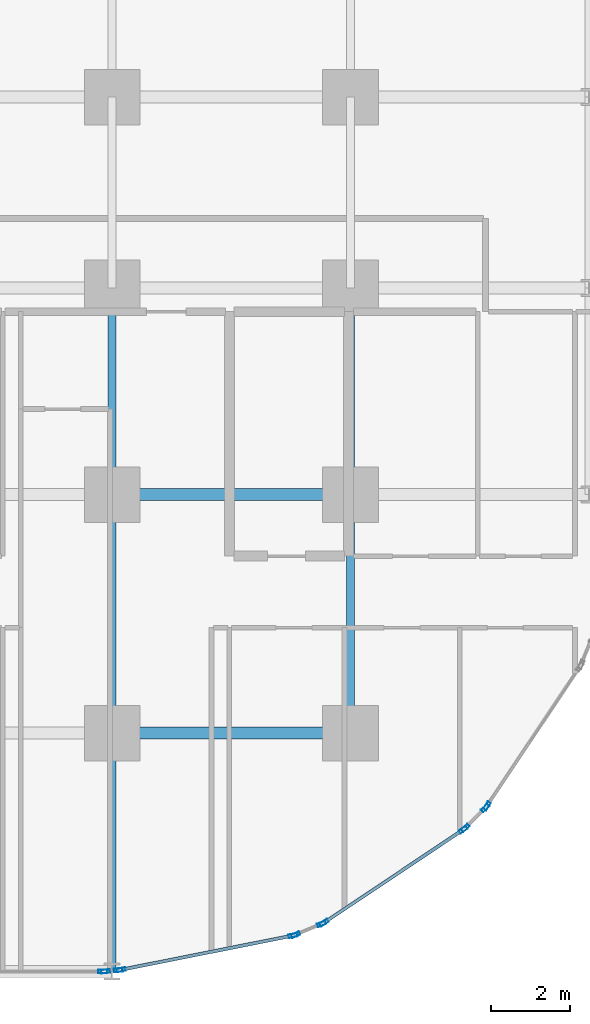
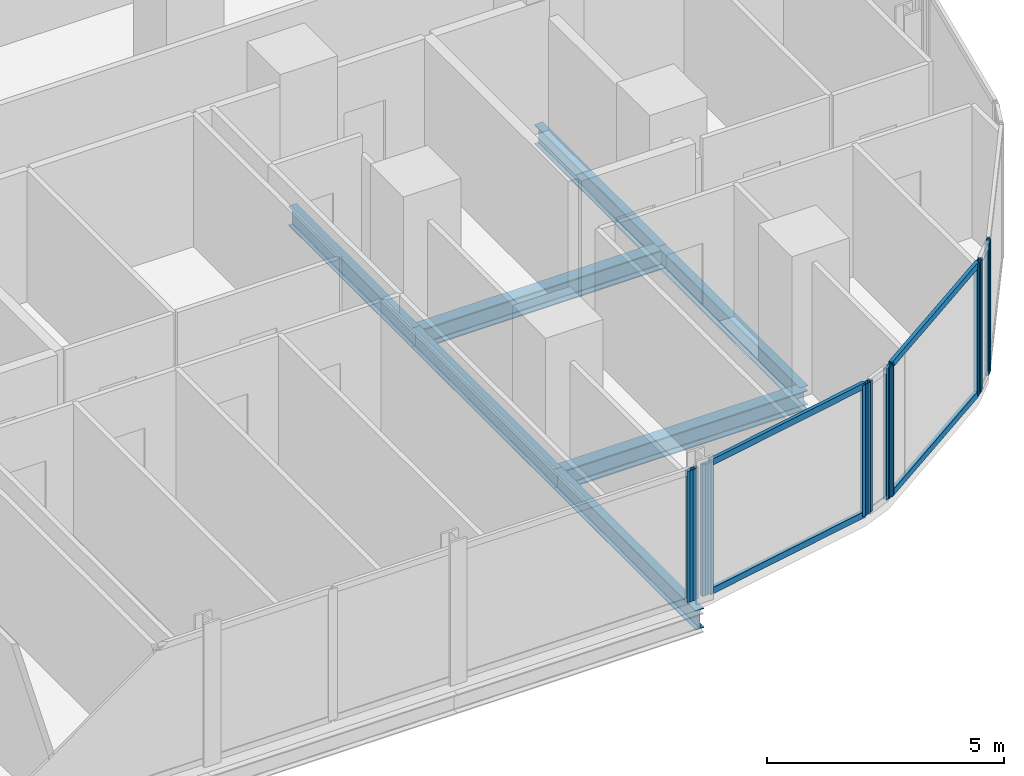
# One storey, part 9 of 33: 16 members, 7 beams, 7 elements without a shape of their own.
"""IFC4 building model written with IfcOpenShell, lengths in metres."""

from ifc_helpers import new_model, si_unit, direction, frame, origin, origin_2d, place, context, subcontext, project, spatial, hollow_rectangle, i_section, extrude, material, layer, layer_set, material_profile, profile_set, type_object, element, aggregate, save


model = new_model("IFC4")

# Units and contexts
model_context = context("Model", 3, precision=1e-05, world=origin(), true_north=direction((0.0, 1.0)))
body_context = subcontext(model_context, "Body", "Model", "MODEL_VIEW")
ifc_project = project(units=[si_unit("LENGTHUNIT", "METRE"), si_unit("AREAUNIT", "SQUARE_METRE"), si_unit("VOLUMEUNIT", "CUBIC_METRE"), si_unit("PLANEANGLEUNIT", "RADIAN"), si_unit("MASSUNIT", "GRAM", prefix="KILO")], contexts=[model_context])

# Site, building, storey
site_placement = place(None, origin())
site = spatial("IfcSite", under=ifc_project, at=site_placement, CompositionType="ELEMENT")
building_placement = place(site_placement, origin())
building = spatial("IfcBuilding", under=site, at=building_placement, Name="Keshet Zoharim Tower", CompositionType="ELEMENT")
storey_placement = place(building_placement, frame((0.0, 0.0, 35.10009765625)))
storey = spatial("IfcBuildingStorey", under=building, at=storey_placement, Name="L07", CompositionType="ELEMENT", Elevation=35.10009765625)

# Beams
ifc_material_1 = material(Name="Steel S355", Category="steel")
ifc_material_profile_1 = material_profile(ifc_material_1, i_section(OverallWidth=0.199951171875, OverallDepth=0.5, WebThickness=0.01025390625, FlangeThickness=0.01611328125, FilletRadius=0.02099609375, at=origin_2d()), Name="IPE500")
ifc_profile_set_1 = profile_set([ifc_material_profile_1], Name="Steel S355")
beam_type_1 = type_object("IfcBeamType", Name="BM-PRI-IP500", PredefinedType="BEAM", material=ifc_profile_set_1)
for number, where, z_axis, x_axis, name in (
    (1, (57.0, 0.699951171875, -0.565185546875), (0.0, 1.0, 0.0), (-1.0, 0.0, 0.0), "L07 Primary Girder Y-013"),
    (2, (57.0, 6.699951171875, -0.565185546875), (0.0, 1.0, 0.0), (-1.0, 0.0, 0.0), "L07 Primary Girder Y-014"),
):
    element("IfcBeam", number, at=place(storey_placement, frame(where, z_axis=z_axis, x_axis=x_axis)), inside=storey, type_object=beam_type_1, Name=name, PredefinedType="BEAM", context=body_context, shape_type="SweptSolid", body=[
        extrude(i_section(OverallWidth=0.199951171875, OverallDepth=0.5, WebThickness=0.01025390625, FlangeThickness=0.01611328125, FilletRadius=0.02099609375, at=origin_2d()), origin(), (0.0, 0.0, 1.0), 6.0),
    ])
beam_1_placement = place(storey_placement, frame((57.0, 12.699951171875, -0.565185546875), z_axis=(0.0, 1.0, 0.0), x_axis=(-1.0, 0.0, 0.0)))
element("IfcBeam", 3, at=beam_1_placement, inside=storey, type_object=beam_type_1, Name="L07 Primary Girder Y-015", PredefinedType="BEAM", context=body_context, shape_type="SweptSolid", body=[
    extrude(i_section(OverallWidth=0.199951171875, OverallDepth=0.5, WebThickness=0.01025390625, FlangeThickness=0.01611328125, FilletRadius=0.02099609375, at=origin_2d()), origin(), (0.0, 0.0, 1.0), 5.199951171875),
])
beam_2_placement = place(storey_placement, frame((63.0, 6.699951171875, -0.565185546875), z_axis=(0.0, 1.0, 0.0), x_axis=(-1.0, 0.0, 0.0)))
element("IfcBeam", 4, at=beam_2_placement, inside=storey, type_object=beam_type_1, Name="L07 Primary Girder Y-018", PredefinedType="BEAM", context=body_context, shape_type="SweptSolid", body=[
    extrude(i_section(OverallWidth=0.199951171875, OverallDepth=0.5, WebThickness=0.01025390625, FlangeThickness=0.01611328125, FilletRadius=0.02099609375, at=origin_2d()), origin(), (0.0, 0.0, 1.0), 6.0),
])
beam_3_placement = place(storey_placement, frame((63.0, 12.699951171875, -0.565185546875), z_axis=(0.0, 1.0, 0.0), x_axis=(-1.0, 0.0, 0.0)))
element("IfcBeam", 5, at=beam_3_placement, inside=storey, type_object=beam_type_1, Name="L07 Primary Girder Y-019", PredefinedType="BEAM", context=body_context, shape_type="SweptSolid", body=[
    extrude(i_section(OverallWidth=0.199951171875, OverallDepth=0.5, WebThickness=0.01025390625, FlangeThickness=0.01611328125, FilletRadius=0.02099609375, at=origin_2d()), origin(), (0.0, 0.0, 1.0), 5.199951171875),
])
ifc_material_profile_2 = material_profile(ifc_material_1, i_section(OverallWidth=0.300048828125, OverallDepth=0.5, WebThickness=0.014404296875, FlangeThickness=0.028076171875, FilletRadius=0.027099609375, at=origin_2d()), Name="HEB500")
ifc_profile_set_2 = profile_set([ifc_material_profile_2], Name="Steel S355")
beam_type_2 = type_object("IfcBeamType", Name="BM-WEB-HB500", PredefinedType="BEAM", material=ifc_profile_set_2)
for number, where, z_axis, x_axis, name in (
    (6, (57.0, 6.699951171875, -0.565185546875), (1.0, 0.0, 0.0), (0.0, 1.0, 0.0), "L07 Primary Girder X-010"),
    (7, (57.0, 12.699951171875, -0.565185546875), (1.0, 0.0, 0.0), (0.0, 1.0, 0.0), "L07 Primary Girder X-013"),
):
    element("IfcBeam", number, at=place(storey_placement, frame(where, z_axis=z_axis, x_axis=x_axis)), inside=storey, type_object=beam_type_2, Name=name, PredefinedType="BEAM", context=body_context, shape_type="SweptSolid", body=[
        extrude(i_section(OverallWidth=0.300048828125, OverallDepth=0.5, WebThickness=0.014404296875, FlangeThickness=0.028076171875, FilletRadius=0.027099609375, at=origin_2d()), origin(), (0.0, 0.0, 1.0), 6.0),
    ])

# Curtain wall, member
ifc_material_2 = material(Name="Aluminium 6063-T6", Category="aluminium")
ifc_layer = layer(ifc_material_2, 0.179931640625)
ifc_layer_set = layer_set([ifc_layer], Name="Aluminium 6063-T6")
curtain_wall_type = type_object("IfcCurtainWallType", Name="CW-SYS-01", PredefinedType="NOTDEFINED", material=ifc_layer_set)
curtain_wall_1_placement = place(storey_placement, origin())
curtain_wall_1 = element("IfcCurtainWall", 8, at=curtain_wall_1_placement, inside=storey, type_object=curtain_wall_type, Name="L07 Unitised Curtain Wall 20", PredefinedType="NOTDEFINED")
ifc_material_profile_3 = material_profile(ifc_material_2, hollow_rectangle(XDim=0.090087890625, YDim=0.219970703125, WallThickness=0.0048828125, at=origin_2d()), Name="MUL-90x220")
ifc_profile_set_3 = profile_set([ifc_material_profile_3], Name="Aluminium 6063-T6")
member_type_1 = type_object("IfcMemberType", Name="CWM-M22", PredefinedType="MULLION", material=ifc_profile_set_3)
member_1_placement = place(storey_placement, frame((66.432373046875, 4.8671875, 0.0), z_axis=(0.0, 0.0, 1.0), x_axis=(0.831474282335, -0.555563243758, 0.0)))
member_1 = element("IfcMember", 9, at=member_1_placement, type_object=member_type_1, Name="CW-01 mullion 2", PredefinedType="MULLION", context=body_context, shape_type="SweptSolid", body=[
    extrude(hollow_rectangle(XDim=0.090087890625, YDim=0.219970703125, WallThickness=0.0048828125, at=origin_2d()), origin(), (0.0, 0.0, 1.0), 3.385009765625),
])
aggregate(curtain_wall_1, [member_1])

# Curtain wall, members
curtain_wall_2_placement = place(storey_placement, origin())
curtain_wall_2 = element("IfcCurtainWall", 10, at=curtain_wall_2_placement, inside=storey, type_object=curtain_wall_type, Name="L07 Unitised Curtain Wall 21", PredefinedType="NOTDEFINED")
member_2_placement = place(storey_placement, frame((66.38818359375, 4.813232421875, 0.0), z_axis=(0.0, 0.0, 1.0), x_axis=(0.707106781187, -0.707106781187, 0.0)))
member_2 = element("IfcMember", 11, at=member_2_placement, type_object=member_type_1, Name="CW-01 mullion 1", PredefinedType="MULLION", context=body_context, shape_type="SweptSolid", body=[
    extrude(hollow_rectangle(XDim=0.090087890625, YDim=0.219970703125, WallThickness=0.0048828125, at=origin_2d()), origin(), (0.0, 0.0, 1.0), 3.385009765625),
])
member_3_placement = place(storey_placement, frame((65.88671875, 4.311767578125, 0.0), z_axis=(0.0, 0.0, 1.0), x_axis=(0.707106781187, -0.707106781187, 0.0)))
member_3 = element("IfcMember", 12, at=member_3_placement, type_object=member_type_1, Name="CW-01 mullion 2", PredefinedType="MULLION", context=body_context, shape_type="SweptSolid", body=[
    extrude(hollow_rectangle(XDim=0.090087890625, YDim=0.219970703125, WallThickness=0.0048828125, at=origin_2d()), origin(), (0.0, 0.0, 1.0), 3.385009765625),
])
aggregate(curtain_wall_2, [member_2, member_3])

curtain_wall_3_placement = place(storey_placement, origin())
curtain_wall_3 = element("IfcCurtainWall", 13, at=curtain_wall_3_placement, inside=storey, type_object=curtain_wall_type, Name="L07 Unitised Curtain Wall 22", PredefinedType="NOTDEFINED")
member_4_placement = place(storey_placement, frame((65.8330078125, 4.267578125, 0.0), z_axis=(0.0, 0.0, 1.0), x_axis=(0.555563243758, -0.831474282335, 0.0)))
member_4 = element("IfcMember", 14, at=member_4_placement, type_object=member_type_1, Name="CW-01 mullion 1", PredefinedType="MULLION", context=body_context, shape_type="SweptSolid", body=[
    extrude(hollow_rectangle(XDim=0.090087890625, YDim=0.219970703125, WallThickness=0.0048828125, at=origin_2d()), origin(), (0.0, 0.0, 1.0), 3.385009765625),
])
member_5_placement = place(storey_placement, frame((62.335205078125, 1.930419921875, 0.0), z_axis=(0.0, 0.0, 1.0), x_axis=(0.555563243758, -0.831474282335, 0.0)))
member_5 = element("IfcMember", 15, at=member_5_placement, type_object=member_type_1, Name="CW-01 mullion 2", PredefinedType="MULLION", context=body_context, shape_type="SweptSolid", body=[
    extrude(hollow_rectangle(XDim=0.090087890625, YDim=0.219970703125, WallThickness=0.0048828125, at=origin_2d()), origin(), (0.0, 0.0, 1.0), 3.385009765625),
])

curtain_wall_4_placement = place(storey_placement, origin())
curtain_wall_4 = element("IfcCurtainWall", 16, at=curtain_wall_4_placement, inside=storey, type_object=curtain_wall_type, Name="L07 Unitised Curtain Wall 23", PredefinedType="NOTDEFINED")
member_6_placement = place(storey_placement, frame((62.273681640625, 1.897705078125, 0.0), z_axis=(0.0, 0.0, 1.0), x_axis=(0.383068349739, -0.923720000557, 0.0)))
member_6 = element("IfcMember", 17, at=member_6_placement, type_object=member_type_1, Name="CW-01 mullion 1", PredefinedType="MULLION", context=body_context, shape_type="SweptSolid", body=[
    extrude(hollow_rectangle(XDim=0.090087890625, YDim=0.219970703125, WallThickness=0.0048828125, at=origin_2d()), origin(), (0.0, 0.0, 1.0), 3.385009765625),
])
member_7_placement = place(storey_placement, frame((61.617431640625, 1.62548828125, 0.0), z_axis=(0.0, 0.0, 1.0), x_axis=(0.383068349739, -0.923720000557, 0.0)))
member_7 = element("IfcMember", 18, at=member_7_placement, type_object=member_type_1, Name="CW-01 mullion 2", PredefinedType="MULLION", context=body_context, shape_type="SweptSolid", body=[
    extrude(hollow_rectangle(XDim=0.090087890625, YDim=0.219970703125, WallThickness=0.0048828125, at=origin_2d()), origin(), (0.0, 0.0, 1.0), 3.385009765625),
])
aggregate(curtain_wall_4, [member_6, member_7])

curtain_wall_5_placement = place(storey_placement, origin())
curtain_wall_5 = element("IfcCurtainWall", 19, at=curtain_wall_5_placement, inside=storey, type_object=curtain_wall_type, Name="L07 Unitised Curtain Wall 24", PredefinedType="NOTDEFINED")
member_8_placement = place(storey_placement, frame((61.55078125, 1.605224609375, 0.0), z_axis=(0.0, 0.0, 1.0), x_axis=(0.195171279072, -0.98076917357, 0.0)))
member_8 = element("IfcMember", 20, at=member_8_placement, type_object=member_type_1, Name="CW-01 mullion 1", PredefinedType="MULLION", context=body_context, shape_type="SweptSolid", body=[
    extrude(hollow_rectangle(XDim=0.090087890625, YDim=0.219970703125, WallThickness=0.0048828125, at=origin_2d()), origin(), (0.0, 0.0, 1.0), 3.385009765625),
])
member_9_placement = place(storey_placement, frame((57.227294921875, 0.744873046875, 0.0), z_axis=(0.0, 0.0, 1.0), x_axis=(0.195171279072, -0.98076917357, 0.0)))
member_9 = element("IfcMember", 21, at=member_9_placement, type_object=member_type_1, Name="CW-01 mullion 2", PredefinedType="MULLION", context=body_context, shape_type="SweptSolid", body=[
    extrude(hollow_rectangle(XDim=0.090087890625, YDim=0.219970703125, WallThickness=0.0048828125, at=origin_2d()), origin(), (0.0, 0.0, 1.0), 3.385009765625),
])

curtain_wall_6_placement = place(storey_placement, origin())
curtain_wall_6 = element("IfcCurtainWall", 22, at=curtain_wall_6_placement, inside=storey, type_object=curtain_wall_type, Name="L07 Unitised Curtain Wall 25", PredefinedType="NOTDEFINED")
member_10_placement = place(storey_placement, frame((57.158203125, 0.734619140625, 0.0), z_axis=(0.0, 0.0, 1.0), x_axis=(0.096976648633, -0.995286657009, 0.0)))
member_10 = element("IfcMember", 23, at=member_10_placement, type_object=member_type_1, Name="CW-01 mullion 1", PredefinedType="MULLION", context=body_context, shape_type="SweptSolid", body=[
    extrude(hollow_rectangle(XDim=0.090087890625, YDim=0.219970703125, WallThickness=0.0048828125, at=origin_2d()), origin(), (0.0, 0.0, 1.0), 3.385009765625),
])
member_11_placement = place(storey_placement, frame((56.837890625, 0.703369140625, 0.0), z_axis=(0.0, 0.0, 1.0), x_axis=(0.096976648633, -0.995286657009, 0.0)))
member_11 = element("IfcMember", 24, at=member_11_placement, type_object=member_type_1, Name="CW-01 mullion 2", PredefinedType="MULLION", context=body_context, shape_type="SweptSolid", body=[
    extrude(hollow_rectangle(XDim=0.090087890625, YDim=0.219970703125, WallThickness=0.0048828125, at=origin_2d()), origin(), (0.0, 0.0, 1.0), 3.385009765625),
])
aggregate(curtain_wall_6, [member_10, member_11])

# Curtain wall, member
curtain_wall_7_placement = place(storey_placement, origin())
curtain_wall_7 = element("IfcCurtainWall", 25, at=curtain_wall_7_placement, inside=storey, type_object=curtain_wall_type, Name="L07 Unitised Curtain Wall 26", PredefinedType="NOTDEFINED")
member_12_placement = place(storey_placement, frame((56.76806640625, 0.699951171875, 0.0), z_axis=(0.0, 0.0, 1.0), x_axis=(0.0, -1.0, 0.0)))
member_12 = element("IfcMember", 26, at=member_12_placement, type_object=member_type_1, Name="CW-01 mullion 1", PredefinedType="MULLION", context=body_context, shape_type="SweptSolid", body=[
    extrude(hollow_rectangle(XDim=0.090087890625, YDim=0.219970703125, WallThickness=0.0048828125, at=origin_2d()), origin(), (0.0, 0.0, 1.0), 3.385009765625),
])
aggregate(curtain_wall_7, [member_12])

# Member
ifc_material_profile_4 = material_profile(ifc_material_2, hollow_rectangle(XDim=0.0849609375, YDim=0.159912109375, WallThickness=0.00439453125, at=origin_2d()), Name="TRN-85x160")
ifc_profile_set_4 = profile_set([ifc_material_profile_4], Name="Aluminium 6063-T6")
member_type_2 = type_object("IfcMemberType", Name="CWT-T16", PredefinedType="USERDEFINED", material=ifc_profile_set_4)
member_13_placement = place(storey_placement, frame((65.8037109375, 4.248046875, 0.034912109375), z_axis=(-0.831477809106, -0.55555796544, 0.0), x_axis=(0.55555796544, -0.831477809106, 0.0)))
member_13 = element("IfcMember", 27, at=member_13_placement, type_object=member_type_2, Name="CW-01 transom 1.1", ObjectType="TRANSOM", PredefinedType="USERDEFINED", context=body_context, shape_type="SweptSolid", body=[
    extrude(hollow_rectangle(XDim=0.0849609375, YDim=0.159912109375, WallThickness=0.00439453125, at=origin_2d()), origin(), (0.0, 0.0, 1.0), 4.136474609375),
])

member_14_placement = place(storey_placement, frame((65.8037109375, 4.248046875, 3.349853515625), z_axis=(-0.831477809106, -0.55555796544, 0.0), x_axis=(0.55555796544, -0.831477809106, 0.0)))
member_14 = element("IfcMember", 28, at=member_14_placement, type_object=member_type_2, Name="CW-01 transom 1.2", ObjectType="TRANSOM", PredefinedType="USERDEFINED", context=body_context, shape_type="SweptSolid", body=[
    extrude(hollow_rectangle(XDim=0.0849609375, YDim=0.159912109375, WallThickness=0.00439453125, at=origin_2d()), origin(), (0.0, 0.0, 1.0), 4.136474609375),
])

aggregate(curtain_wall_3, [member_4, member_5, member_13, member_14])

member_15_placement = place(storey_placement, frame((61.516357421875, 1.598388671875, 0.034912109375), z_axis=(-0.980768540739, -0.195174459131, 0.0), x_axis=(0.195174459131, -0.980768540739, 0.0)))
member_15 = element("IfcMember", 29, at=member_15_placement, type_object=member_type_2, Name="CW-01 transom 1.1", ObjectType="TRANSOM", PredefinedType="USERDEFINED", context=body_context, shape_type="SweptSolid", body=[
    extrude(hollow_rectangle(XDim=0.0849609375, YDim=0.159912109375, WallThickness=0.00439453125, at=origin_2d()), origin(), (0.0, 0.0, 1.0), 4.338134765625),
])

member_16_placement = place(storey_placement, frame((61.516357421875, 1.598388671875, 3.349853515625), z_axis=(-0.980768540739, -0.195174459131, 0.0), x_axis=(0.195174459131, -0.980768540739, 0.0)))
member_16 = element("IfcMember", 30, at=member_16_placement, type_object=member_type_2, Name="CW-01 transom 1.2", ObjectType="TRANSOM", PredefinedType="USERDEFINED", context=body_context, shape_type="SweptSolid", body=[
    extrude(hollow_rectangle(XDim=0.0849609375, YDim=0.159912109375, WallThickness=0.00439453125, at=origin_2d()), origin(), (0.0, 0.0, 1.0), 4.338134765625),
])

aggregate(curtain_wall_5, [member_8, member_9, member_15, member_16])

save(model, "model.ifc")
